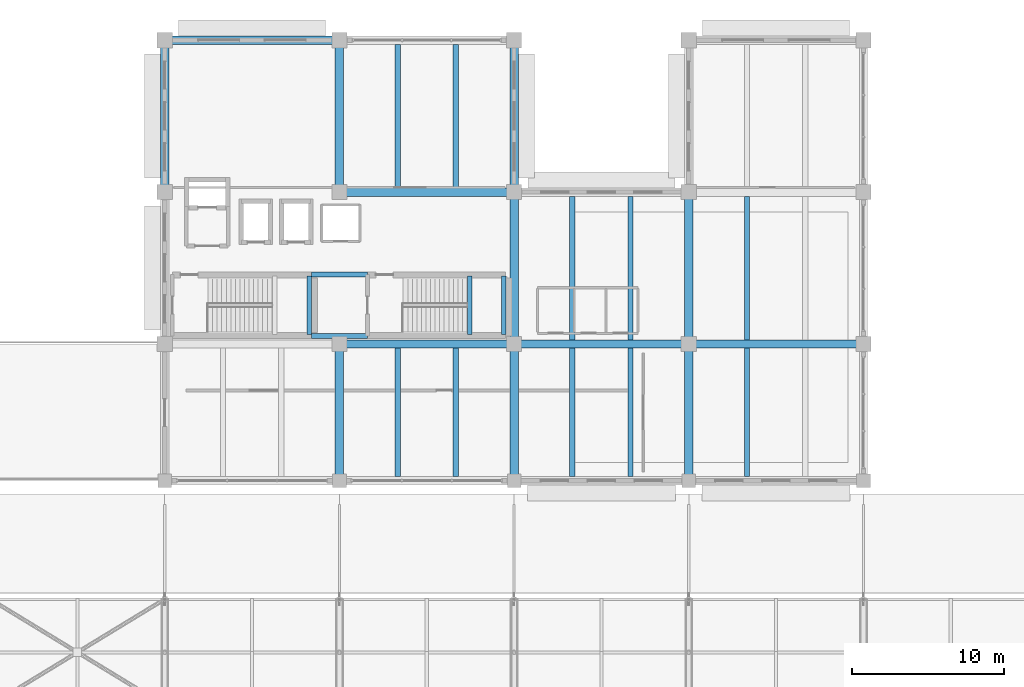
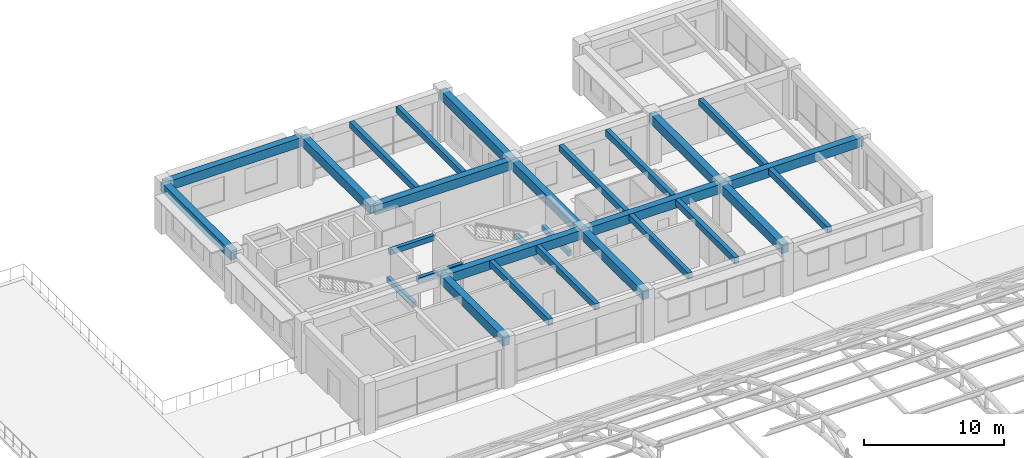
# One storey, part 73 of 154: 28 beams.
"""IFC4 building model written with IfcOpenShell, lengths in metres."""

from ifc_helpers import new_model, si_unit, direction, frame, origin, origin_2d, place, context, subcontext, project, spatial, rectangle, extrude, material, material_profile, profile_set, type_object, element, save


model = new_model("IFC4")

# Units and contexts
model_context = context("Model", 3, precision=1e-05, world=origin(), true_north=direction((0.0, 1.0)))
body_context = subcontext(model_context, "Body", "Model", "MODEL_VIEW")
ifc_project = project(units=[si_unit("LENGTHUNIT", "METRE"), si_unit("AREAUNIT", "SQUARE_METRE"), si_unit("VOLUMEUNIT", "CUBIC_METRE"), si_unit("PLANEANGLEUNIT", "RADIAN"), si_unit("MASSUNIT", "GRAM", prefix="KILO")], contexts=[model_context])

# Site, building, storey
site_placement = place(None, origin())
site = spatial("IfcSite", under=ifc_project, at=site_placement, CompositionType="ELEMENT")
building_placement = place(site_placement, origin())
building = spatial("IfcBuilding", under=site, at=building_placement, Name="Ologun Quay Terminus", CompositionType="ELEMENT")
storey_placement = place(building_placement, frame((0.0, 0.0, 13.800048828125)))
storey = spatial("IfcBuildingStorey", under=building, at=storey_placement, Name="L03", CompositionType="ELEMENT", Elevation=13.800048828125)

# Beams
ifc_material_1 = material(Name="Concrete C40/50", Category="concrete")
ifc_material_profile_1 = material_profile(ifc_material_1, rectangle(XDim=0.300048828125, YDim=0.449951171875, at=origin_2d()), Name="RC 300x450")
ifc_profile_set_1 = profile_set([ifc_material_profile_1], Name="Concrete C40/50")
beam_type_1 = type_object("IfcBeamType", Name="Core Coupling Lintel Beam 300x450", PredefinedType="LINTEL", material=ifc_profile_set_1)
for number, where, z_axis, x_axis, name in (
    (1, (32.64990234375, 95.324951171875, 4.02490234375), (1.0, 0.0, 0.0), (0.0, 1.0, 0.0), "LN1 Beam 4/H L03"),
    (2, (32.64990234375, 99.375, 4.02490234375), (1.0, 0.0, 0.0), (0.0, 1.0, 0.0), "LN1 Beam 4/H L03"),
):
    element("IfcBeam", number, at=place(storey_placement, frame(where, z_axis=z_axis, x_axis=x_axis)), inside=storey, type_object=beam_type_1, Name=name, PredefinedType="LINTEL", context=body_context, shape_type="SweptSolid", body=[
        extrude(rectangle(XDim=0.300048828125, YDim=0.449951171875, at=origin_2d()), origin(), (0.0, 0.0, 1.0), 3.7001953125),
    ])
for number, where, z_axis, x_axis, name in (
    (3, (32.510009765625, 95.429931640625, 1.844970703125), (0.0, 1.0, 0.0), (-1.0, 0.0, 0.0), "LN1 Half-Landing Ledger Beam ST-W1-E L03"),
    (4, (43.090087890625, 95.429931640625, 1.844970703125), (0.0, 1.0, 0.0), (-1.0, 0.0, 0.0), "LN1 Half-Landing Ledger Beam ST-W2-W L03"),
    (5, (45.31005859375, 95.429931640625, 1.844970703125), (0.0, 1.0, 0.0), (-1.0, 0.0, 0.0), "LN1 Half-Landing Ledger Beam ST-W2-E L03"),
):
    element("IfcBeam", number, at=place(storey_placement, frame(where, z_axis=z_axis, x_axis=x_axis)), inside=storey, type_object=beam_type_1, Name=name, PredefinedType="LINTEL", context=body_context, shape_type="SweptSolid", body=[
        extrude(rectangle(XDim=0.300048828125, YDim=0.449951171875, at=origin_2d()), origin(), (0.0, 0.0, 1.0), 3.840087890625),
    ])
ifc_material_2 = material(Name="Concrete C40/50", Category="concrete")
ifc_material_profile_2 = material_profile(ifc_material_2, rectangle(XDim=0.550048828125, YDim=0.800048828125, at=origin_2d()), Name="RC 550x800")
ifc_profile_set_2 = profile_set([ifc_material_profile_2], Name="Concrete C40/50")
beam_type_2 = type_object("IfcBeamType", Name="Courtyard Wing Primary Girder 550x800", PredefinedType="BEAM", material=ifc_profile_set_2)
for number, where, z_axis, x_axis, name in (
    (6, (34.5, 94.800048828125, 3.849853515625), (1.0, 0.0, 0.0), (0.0, 1.0, 0.0), "B4 Beam 4/H L03"),
    (7, (46.0, 94.800048828125, 3.849853515625), (1.0, 0.0, 0.0), (0.0, 1.0, 0.0), "B4 Beam 5/H L03"),
    (8, (57.5, 94.800048828125, 3.849853515625), (1.0, 0.0, 0.0), (0.0, 1.0, 0.0), "B4 Beam 6/H L03"),
    (9, (34.5, 104.800048828125, 3.849853515625), (1.0, 0.0, 0.0), (0.0, 1.0, 0.0), "B4 Beam 4/J L03"),
    (10, (23.0, 114.800048828125, 3.849853515625), (1.0, 0.0, 0.0), (0.0, 1.0, 0.0), "B4 Beam 3/K L03"),
):
    element("IfcBeam", number, at=place(storey_placement, frame(where, z_axis=z_axis, x_axis=x_axis)), inside=storey, type_object=beam_type_2, Name=name, PredefinedType="BEAM", context=body_context, shape_type="SweptSolid", body=[
        extrude(rectangle(XDim=0.550048828125, YDim=0.800048828125, at=origin_2d()), origin(), (0.0, 0.0, 1.0), 11.5),
    ])
beam_1_placement = place(storey_placement, frame((23.0, 104.800048828125, 3.849853515625), z_axis=(0.0, 1.0, 0.0), x_axis=(-1.0, 0.0, 0.0)))
element("IfcBeam", 11, at=beam_1_placement, inside=storey, type_object=beam_type_2, Name="B4 Beam 3/J L03", PredefinedType="BEAM", context=body_context, shape_type="SweptSolid", body=[
    extrude(rectangle(XDim=0.550048828125, YDim=0.800048828125, at=origin_2d()), origin(), (0.0, 0.0, 1.0), 10.0),
])
beam_2_placement = place(storey_placement, frame((34.5, 85.800048828125, 3.849853515625), z_axis=(0.0, 1.0, 0.0), x_axis=(-1.0, 0.0, 0.0)))
element("IfcBeam", 12, at=beam_2_placement, inside=storey, type_object=beam_type_2, Name="B4 Beam 4/G2 L03", PredefinedType="BEAM", context=body_context, shape_type="SweptSolid", body=[
    extrude(rectangle(XDim=0.550048828125, YDim=0.800048828125, at=origin_2d()), origin(), (0.0, 0.0, 1.0), 9.0),
])
beam_3_placement = place(storey_placement, frame((34.5, 104.800048828125, 3.849853515625), z_axis=(0.0, 1.0, 0.0), x_axis=(-1.0, 0.0, 0.0)))
element("IfcBeam", 13, at=beam_3_placement, inside=storey, type_object=beam_type_2, Name="B4 Beam 4/J L03", PredefinedType="BEAM", context=body_context, shape_type="SweptSolid", body=[
    extrude(rectangle(XDim=0.550048828125, YDim=0.800048828125, at=origin_2d()), origin(), (0.0, 0.0, 1.0), 10.0),
])
beam_4_placement = place(storey_placement, frame((46.0, 85.800048828125, 3.849853515625), z_axis=(0.0, 1.0, 0.0), x_axis=(-1.0, 0.0, 0.0)))
element("IfcBeam", 14, at=beam_4_placement, inside=storey, type_object=beam_type_2, Name="B4 Beam 5/G2 L03", PredefinedType="BEAM", context=body_context, shape_type="SweptSolid", body=[
    extrude(rectangle(XDim=0.550048828125, YDim=0.800048828125, at=origin_2d()), origin(), (0.0, 0.0, 1.0), 9.0),
])
for number, where, z_axis, x_axis, name in (
    (15, (46.0, 94.800048828125, 3.849853515625), (0.0, 1.0, 0.0), (-1.0, 0.0, 0.0), "B4 Beam 5/H L03"),
    (16, (46.0, 104.800048828125, 3.849853515625), (0.0, 1.0, 0.0), (-1.0, 0.0, 0.0), "B4 Beam 5/J L03"),
):
    element("IfcBeam", number, at=place(storey_placement, frame(where, z_axis=z_axis, x_axis=x_axis)), inside=storey, type_object=beam_type_2, Name=name, PredefinedType="BEAM", context=body_context, shape_type="SweptSolid", body=[
        extrude(rectangle(XDim=0.550048828125, YDim=0.800048828125, at=origin_2d()), origin(), (0.0, 0.0, 1.0), 10.0),
    ])
beam_5_placement = place(storey_placement, frame((57.5, 85.800048828125, 3.849853515625), z_axis=(0.0, 1.0, 0.0), x_axis=(-1.0, 0.0, 0.0)))
element("IfcBeam", 17, at=beam_5_placement, inside=storey, type_object=beam_type_2, Name="B4 Beam 6/G2 L03", PredefinedType="BEAM", context=body_context, shape_type="SweptSolid", body=[
    extrude(rectangle(XDim=0.550048828125, YDim=0.800048828125, at=origin_2d()), origin(), (0.0, 0.0, 1.0), 9.0),
])
beam_6_placement = place(storey_placement, frame((57.5, 94.800048828125, 3.849853515625), z_axis=(0.0, 1.0, 0.0), x_axis=(-1.0, 0.0, 0.0)))
element("IfcBeam", 18, at=beam_6_placement, inside=storey, type_object=beam_type_2, Name="B4 Beam 6/H L03", PredefinedType="BEAM", context=body_context, shape_type="SweptSolid", body=[
    extrude(rectangle(XDim=0.550048828125, YDim=0.800048828125, at=origin_2d()), origin(), (0.0, 0.0, 1.0), 10.0),
])
ifc_material_3 = material(Name="Concrete C40/50", Category="concrete")
ifc_material_profile_3 = material_profile(ifc_material_3, rectangle(XDim=0.35009765625, YDim=0.550048828125, at=origin_2d()), Name="RC 350x550")
ifc_profile_set_3 = profile_set([ifc_material_profile_3], Name="Concrete C40/50")
beam_type_3 = type_object("IfcBeamType", Name="Courtyard Wing Secondary Joist 350x550", PredefinedType="JOIST", material=ifc_profile_set_3)
for number, where, z_axis, x_axis, name in (
    (19, (38.333251953125, 86.074951171875, 3.974853515625), (0.0, 1.0, 0.0), (-1.0, 0.0, 0.0), "J2 Beam 4/G2 L03"),
    (20, (42.166748046875, 86.074951171875, 3.974853515625), (0.0, 1.0, 0.0), (-1.0, 0.0, 0.0), "J2 Beam 4/G2 L03"),
):
    element("IfcBeam", number, at=place(storey_placement, frame(where, z_axis=z_axis, x_axis=x_axis)), inside=storey, type_object=beam_type_3, Name=name, PredefinedType="JOIST", context=body_context, shape_type="SweptSolid", body=[
        extrude(rectangle(XDim=0.35009765625, YDim=0.550048828125, at=origin_2d()), origin(), (0.0, 0.0, 1.0), 8.449951171875),
    ])
for number, where, z_axis, x_axis, name in (
    (21, (38.333251953125, 105.074951171875, 3.974853515625), (0.0, 1.0, 0.0), (-1.0, 0.0, 0.0), "J2 Beam 4/J L03"),
    (22, (42.166748046875, 105.074951171875, 3.974853515625), (0.0, 1.0, 0.0), (-1.0, 0.0, 0.0), "J2 Beam 4/J L03"),
):
    element("IfcBeam", number, at=place(storey_placement, frame(where, z_axis=z_axis, x_axis=x_axis)), inside=storey, type_object=beam_type_3, Name=name, PredefinedType="JOIST", context=body_context, shape_type="SweptSolid", body=[
        extrude(rectangle(XDim=0.35009765625, YDim=0.550048828125, at=origin_2d()), origin(), (0.0, 0.0, 1.0), 9.449951171875),
    ])
for number, where, z_axis, x_axis, name in (
    (23, (49.833251953125, 86.074951171875, 3.974853515625), (0.0, 1.0, 0.0), (-1.0, 0.0, 0.0), "J2 Beam 5/G2 L03"),
    (24, (53.666748046875, 86.074951171875, 3.974853515625), (0.0, 1.0, 0.0), (-1.0, 0.0, 0.0), "J2 Beam 5/G2 L03"),
):
    element("IfcBeam", number, at=place(storey_placement, frame(where, z_axis=z_axis, x_axis=x_axis)), inside=storey, type_object=beam_type_3, Name=name, PredefinedType="JOIST", context=body_context, shape_type="SweptSolid", body=[
        extrude(rectangle(XDim=0.35009765625, YDim=0.550048828125, at=origin_2d()), origin(), (0.0, 0.0, 1.0), 8.449951171875),
    ])
for number, where, z_axis, x_axis, name in (
    (25, (49.833251953125, 95.074951171875, 3.974853515625), (0.0, 1.0, 0.0), (-1.0, 0.0, 0.0), "J2 Beam 5/H L03"),
    (26, (53.666748046875, 95.074951171875, 3.974853515625), (0.0, 1.0, 0.0), (-1.0, 0.0, 0.0), "J2 Beam 5/H L03"),
):
    element("IfcBeam", number, at=place(storey_placement, frame(where, z_axis=z_axis, x_axis=x_axis)), inside=storey, type_object=beam_type_3, Name=name, PredefinedType="JOIST", context=body_context, shape_type="SweptSolid", body=[
        extrude(rectangle(XDim=0.35009765625, YDim=0.550048828125, at=origin_2d()), origin(), (0.0, 0.0, 1.0), 9.449951171875),
    ])
beam_7_placement = place(storey_placement, frame((61.333251953125, 86.074951171875, 3.974853515625), z_axis=(0.0, 1.0, 0.0), x_axis=(-1.0, 0.0, 0.0)))
element("IfcBeam", 27, at=beam_7_placement, inside=storey, type_object=beam_type_3, Name="J2 Beam 6/G2 L03", PredefinedType="JOIST", context=body_context, shape_type="SweptSolid", body=[
    extrude(rectangle(XDim=0.35009765625, YDim=0.550048828125, at=origin_2d()), origin(), (0.0, 0.0, 1.0), 8.449951171875),
])
beam_8_placement = place(storey_placement, frame((61.333251953125, 95.074951171875, 3.974853515625), z_axis=(0.0, 1.0, 0.0), x_axis=(-1.0, 0.0, 0.0)))
element("IfcBeam", 28, at=beam_8_placement, inside=storey, type_object=beam_type_3, Name="J2 Beam 6/H L03", PredefinedType="JOIST", context=body_context, shape_type="SweptSolid", body=[
    extrude(rectangle(XDim=0.35009765625, YDim=0.550048828125, at=origin_2d()), origin(), (0.0, 0.0, 1.0), 9.449951171875),
])

save(model, "model.ifc")
